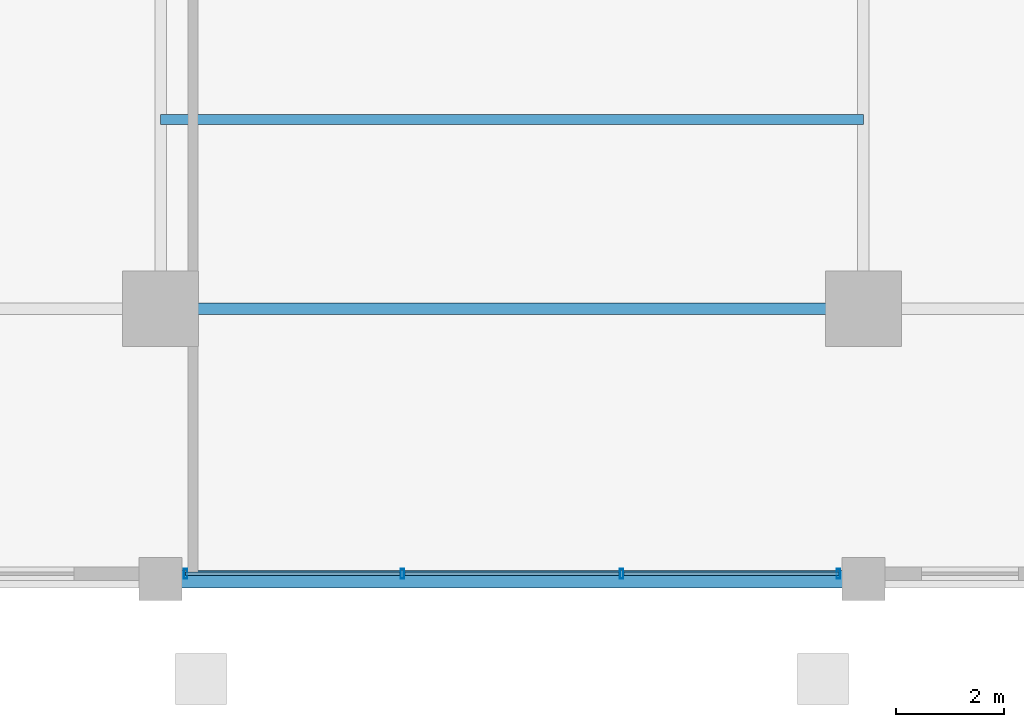
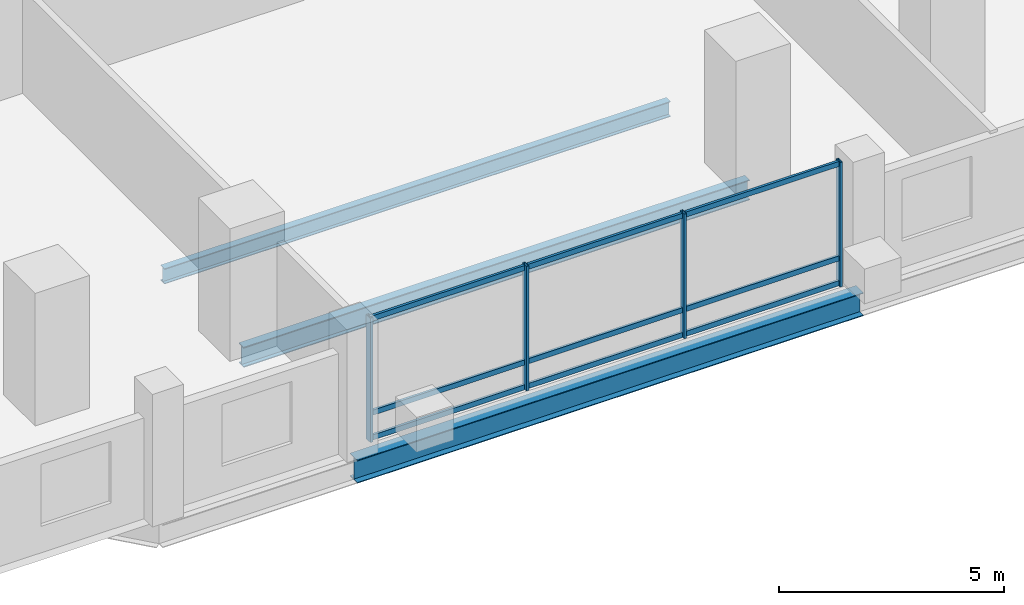
# One storey, part 2 of 23: 13 members, 3 beams, 1 element without a shape of its own.
"""IFC4 building model written with IfcOpenShell, lengths in metres."""

import ifcopenshell
import ifcopenshell.guid

model = None  # the IFC model being written
_history = None  # IfcOwnerHistory: only IFC2X3 demands one
_inside = {}  # id of a spatial element -> (the spatial element, [elements in it])
_under = {}  # id of a project, library or spatial element -> (it, [spatial elements below it])
_declared = {}  # id of a project -> (the project, [libraries it declares])
_typed = {}  # id of a type object -> (the type object, [elements of that type])
_made_of = {}  # id of a material, layer set ... -> (it, [elements and type objects made of it])


def new_model(schema):
    """Start an empty IFC model of exactly this schema.

    Asked for "IFC4X3", IfcOpenShell would pick the latest addendum, in which some entities
    have other attributes; the version numbers below select the first issue.
    IFC2X3 requires an IfcOwnerHistory on every rooted entity: one is made here for all.
    """
    global model, _history
    if schema == "IFC4X3":
        model = ifcopenshell.file(schema_version=(4, 3, 0, 0))
    else:
        model = ifcopenshell.file(schema=schema)
    _inside.clear()
    _under.clear()
    _declared.clear()
    _typed.clear()
    _made_of.clear()
    _history = None
    if model.schema == "IFC2X3":
        org = make("IfcOrganization", Name="unknown")
        user = make(
            "IfcPersonAndOrganization",
            ThePerson=make("IfcPerson", FamilyName="unknown"),
            TheOrganization=org,
        )
        app = make(
            "IfcApplication",
            ApplicationDeveloper=org,
            Version="unknown",
            ApplicationFullName="unknown",
            ApplicationIdentifier="unknown",
        )
        _history = make(
            "IfcOwnerHistory",
            OwningUser=user,
            OwningApplication=app,
            ChangeAction="ADDED",
            CreationDate=0,
        )
    return model


def make(cls, **values):
    """One entity of the class cls with the attributes given. An attribute that is None is left unset."""
    return model.create_entity(
        cls, **{name: value for name, value in values.items() if value is not None}
    )


def rooted(cls, **values):
    """An entity with a GlobalId (a new one), such as an element, a storey or a relation."""
    return make(cls, GlobalId=ifcopenshell.guid.new(), OwnerHistory=_history, **values)


def si_unit(unit_type, name, prefix=None):
    """IfcSIUnit, for example si_unit("LENGTHUNIT", "METRE", prefix="MILLI")."""
    return make("IfcSIUnit", UnitType=unit_type, Prefix=prefix, Name=name)


def assignment(units):
    """IfcUnitAssignment: the units of a project."""
    return None if units is None else make("IfcUnitAssignment", Units=units)


def point(xyz):
    """IfcCartesianPoint."""
    return None if xyz is None else make("IfcCartesianPoint", Coordinates=xyz)


def direction(xyz):
    """IfcDirection."""
    return None if xyz is None else make("IfcDirection", DirectionRatios=xyz)


def frame(location, z_axis=None, x_axis=None):
    """IfcAxis2Placement3D, a coordinate frame: its origin and axes. An axis left out is left unset."""
    return make(
        "IfcAxis2Placement3D",
        Location=point(location),
        Axis=direction(z_axis),
        RefDirection=direction(x_axis),
    )


def frame_2d(location, x_axis=None):
    """IfcAxis2Placement2D, a coordinate frame in the plane: its origin and x axis."""
    return make(
        "IfcAxis2Placement2D", Location=point(location), RefDirection=direction(x_axis)
    )


def origin():
    """The frame at (0, 0, 0) with its axes left unset."""
    return frame((0.0, 0.0, 0.0))


def origin_2d():
    """The frame at (0, 0) in the plane with its x axis left unset."""
    return frame_2d((0.0, 0.0))


def place(relative_to, where):
    """IfcLocalPlacement: puts the frame where relative to a parent placement (None: the world)."""
    return make(
        "IfcLocalPlacement", PlacementRelTo=relative_to, RelativePlacement=where
    )


def context(
    kind, dimensions, precision=None, world=None, true_north=None, identifier=None
):
    """IfcGeometricRepresentationContext, for example the 3D "Model" context."""
    return make(
        "IfcGeometricRepresentationContext",
        ContextIdentifier=identifier,
        ContextType=kind,
        CoordinateSpaceDimension=dimensions,
        Precision=precision,
        WorldCoordinateSystem=world,
        TrueNorth=true_north,
    )


def subcontext(parent, identifier, kind, view, scale=None):
    """IfcGeometricRepresentationSubContext, for example "Body" below "Model"."""
    return make(
        "IfcGeometricRepresentationSubContext",
        ContextIdentifier=identifier,
        ContextType=kind,
        ParentContext=parent,
        TargetScale=scale,
        TargetView=view,
    )


def project(units=None, contexts=None):
    """IfcProject with its units and contexts."""
    return rooted(
        "IfcProject",
        Name="project",
        RepresentationContexts=contexts,
        UnitsInContext=assignment(units),
    )


def spatial(cls, under=None, at=None, **own):
    """A site, building, storey or space (cls), placed at a placement, below another one or the project."""
    s = rooted(cls, ObjectPlacement=at, **own)
    if under is not None:
        _under.setdefault(under.id(), (under, []))[1].append(s)
    return s


def profile(cls, at=None, kind="AREA", **sizes):
    """A parametric profile (cls). Its sizes go by their IFC names, for example OverallWidth=200.0."""
    return make(cls, ProfileType=kind, Position=at, **sizes)


def hollow_rectangle(**sizes):
    """IfcRectangleHollowProfileDef."""
    return profile("IfcRectangleHollowProfileDef", **sizes)


def i_section(**sizes):
    """IfcIShapeProfileDef."""
    return profile("IfcIShapeProfileDef", **sizes)


def extrude(swept, where, along, depth):
    """IfcExtrudedAreaSolid: the profile swept, set in the frame where, extruded along a direction by depth."""
    return make(
        "IfcExtrudedAreaSolid",
        SweptArea=swept,
        Position=where,
        ExtrudedDirection=direction(along),
        Depth=depth,
    )


def shape(context_of_items, identifier, shape_type, items):
    """IfcShapeRepresentation: the items that make up one representation, for example the "Body"."""
    return make(
        "IfcShapeRepresentation",
        ContextOfItems=context_of_items,
        RepresentationIdentifier=identifier,
        RepresentationType=shape_type,
        Items=items,
    )


def material(Name=None, Category=None):
    """IfcMaterial."""
    return make("IfcMaterial", Name=Name, Category=Category)


def layer(
    of_material, thickness, ventilated=None, Name=None, Category=None, Priority=None
):
    """IfcMaterialLayer: one layer of a wall or slab, of a material (None: an air gap)."""
    return make(
        "IfcMaterialLayer",
        Material=of_material,
        LayerThickness=thickness,
        IsVentilated=ventilated,
        Name=Name,
        Category=Category,
        Priority=Priority,
    )


def layer_set(layers, Name=None):
    """IfcMaterialLayerSet."""
    return make("IfcMaterialLayerSet", MaterialLayers=layers, LayerSetName=Name)


def material_profile(
    of_material, cross_section, Name=None, Category=None, Priority=None
):
    """IfcMaterialProfile: a cross section and its material."""
    return make(
        "IfcMaterialProfile",
        Name=Name,
        Material=of_material,
        Profile=cross_section,
        Priority=Priority,
        Category=Category,
    )


def profile_set(profiles, Name=None, composite=None):
    """IfcMaterialProfileSet."""
    return make(
        "IfcMaterialProfileSet",
        Name=Name,
        MaterialProfiles=profiles,
        CompositeProfile=composite,
    )


def made_of(thing, what):
    """Note that an element or type object is made of a material, layer set ...; save() writes the relation."""
    if what is not None:
        _made_of.setdefault(what.id(), (what, []))[1].append(thing)
    return thing


def type_object(cls, material=None, **own):
    """A type object (cls), such as IfcWallType, which elements share."""
    return made_of(rooted(cls, **own), material)


def element(
    cls,
    number,
    at=None,
    inside=None,
    cuts=None,
    type_object=None,
    material=None,
    context=None,
    identifier="Body",
    shape_type=None,
    held_by="IfcProductDefinitionShape",
    body=None,
    shapes=None,
    **own,
):
    """One element of the class cls, such as IfcWall. Its Tag is "e" and its number.

    at: its placement. inside: the storey or other place that contains it. cuts: it is an
    opening in that element (IfcRelVoidsElement). A single representation is given by context,
    identifier, shape_type and body (its items); several are given by shapes. held_by: the class
    of the entity that holds the representations. save() writes the other relations.
    """
    e = rooted(cls, Tag="e%d" % number, ObjectPlacement=at, **own)
    if body is not None:
        shapes = [shape(context, identifier, shape_type, body)]
    if shapes is not None:
        e.Representation = make(held_by, Representations=shapes)
    if inside is not None:
        _inside.setdefault(inside.id(), (inside, []))[1].append(e)
    if cuts is not None:
        rooted(
            "IfcRelVoidsElement", RelatingBuildingElement=cuts, RelatedOpeningElement=e
        )
    if type_object is not None:
        _typed.setdefault(type_object.id(), (type_object, []))[1].append(e)
    return made_of(e, material)


def aggregate(whole, parts):
    """IfcRelAggregates: a whole, such as a stair, and the parts it consists of."""
    return rooted("IfcRelAggregates", RelatingObject=whole, RelatedObjects=parts)


def save(model, path):
    """Write the relations noted so far, then the file.

    IfcRelAggregates (storeys below a building ...), IfcRelContainedInSpatialStructure (elements
    in a storey), IfcRelDefinesByType, IfcRelAssociatesMaterial and IfcRelDeclares: one each for
    every whole, place, type object, material and project.
    """
    for whole, parts in _under.values():
        aggregate(whole, parts)
    for where, things in _inside.values():
        rooted(
            "IfcRelContainedInSpatialStructure",
            RelatedElements=things,
            RelatingStructure=where,
        )
    for kind, things in _typed.values():
        rooted("IfcRelDefinesByType", RelatedObjects=things, RelatingType=kind)
    for what, things in _made_of.values():
        rooted("IfcRelAssociatesMaterial", RelatedObjects=things, RelatingMaterial=what)
    for by, libraries in _declared.values():
        rooted("IfcRelDeclares", RelatingContext=by, RelatedDefinitions=libraries)
    model.write(path)


model = new_model("IFC4")

# Units and contexts
model_context = context("Model", 3, precision=1e-05, world=origin(), true_north=direction((0.0, 1.0)))
body_context = subcontext(model_context, "Body", "Model", "MODEL_VIEW")
ifc_project = project(units=[si_unit("LENGTHUNIT", "METRE"), si_unit("AREAUNIT", "SQUARE_METRE"), si_unit("VOLUMEUNIT", "CUBIC_METRE"), si_unit("PLANEANGLEUNIT", "RADIAN"), si_unit("MASSUNIT", "GRAM", prefix="KILO")], contexts=[model_context])

# Site, building, storey
site_placement = place(None, origin())
site = spatial("IfcSite", under=ifc_project, at=site_placement, CompositionType="ELEMENT")
building_placement = place(site_placement, origin())
building = spatial("IfcBuilding", under=site, at=building_placement, Name="Barlavira Tower and Art Museum", CompositionType="ELEMENT")
storey_placement = place(building_placement, frame((0.0, 0.0, 64.800048828125)))
storey = spatial("IfcBuildingStorey", under=building, at=storey_placement, Name="L15", CompositionType="ELEMENT", Elevation=64.800048828125)

# Curtain wall, members
ifc_material_1 = material(Name="Low-iron coastal laminated glass", Category="glass")
ifc_layer = layer(ifc_material_1, 0.179931640625, Name="Low-iron coastal laminated glass")
ifc_layer_set = layer_set([ifc_layer], Name="Low-iron coastal laminated glass")
curtain_wall_type = type_object("IfcCurtainWallType", Name="Pale-Metal Unitised Curtain Wall Zone 1", PredefinedType="NOTDEFINED", material=ifc_layer_set)
curtain_wall_placement = place(storey_placement, origin())
curtain_wall = element("IfcCurtainWall", 1, at=curtain_wall_placement, inside=storey, type_object=curtain_wall_type, Name="L15 Curtain Wall CW1-L15-S-B3", PredefinedType="NOTDEFINED")
ifc_material_2 = material(Name="Pale anodised aluminium", Category="aluminium")
ifc_material_profile_1 = material_profile(ifc_material_2, hollow_rectangle(XDim=0.06494140625, YDim=0.179931640625, WallThickness=0.00390625, at=origin_2d()), Name="ALU-MULL 65x180x4")
ifc_profile_set_1 = profile_set([ifc_material_profile_1], Name="Pale anodised aluminium")
member_type_1 = type_object("IfcMemberType", Name="Curtain Wall Pale-Metal Mullion 65x180", PredefinedType="MULLION", material=ifc_profile_set_1)
member_1_placement = place(storey_placement, frame((-6.034912109375, -24.89990234375, 0.0), z_axis=(0.0, 0.0, 1.0), x_axis=(1.0, 0.0, 0.0)))
member_1 = element("IfcMember", 2, at=member_1_placement, type_object=member_type_1, Name="CW1-L15-S-B3 Mullion 0", PredefinedType="MULLION", context=body_context, shape_type="SweptSolid", body=[
    extrude(hollow_rectangle(XDim=0.06494140625, YDim=0.179931640625, WallThickness=0.00390625, at=origin_2d()), origin(), (0.0, 0.0, 1.0), 3.3798828125),
])
member_2_placement = place(storey_placement, frame((-2.026611328125, -24.89990234375, 0.0), z_axis=(0.0, 0.0, 1.0), x_axis=(1.0, 0.0, 0.0)))
member_2 = element("IfcMember", 3, at=member_2_placement, type_object=member_type_1, Name="CW1-L15-S-B3 Mullion 1", PredefinedType="MULLION", context=body_context, shape_type="SweptSolid", body=[
    extrude(hollow_rectangle(XDim=0.06494140625, YDim=0.179931640625, WallThickness=0.00390625, at=origin_2d()), origin(), (0.0, 0.0, 1.0), 3.3798828125),
])
member_3_placement = place(storey_placement, frame((2.026611328125, -24.89990234375, 0.0), z_axis=(0.0, 0.0, 1.0), x_axis=(1.0, 0.0, 0.0)))
member_3 = element("IfcMember", 4, at=member_3_placement, type_object=member_type_1, Name="CW1-L15-S-B3 Mullion 2", PredefinedType="MULLION", context=body_context, shape_type="SweptSolid", body=[
    extrude(hollow_rectangle(XDim=0.06494140625, YDim=0.179931640625, WallThickness=0.00390625, at=origin_2d()), origin(), (0.0, 0.0, 1.0), 3.3798828125),
])
member_4_placement = place(storey_placement, frame((6.034912109375, -24.89990234375, 0.0), z_axis=(0.0, 0.0, 1.0), x_axis=(1.0, 0.0, 0.0)))
member_4 = element("IfcMember", 5, at=member_4_placement, type_object=member_type_1, Name="CW1-L15-S-B3 Mullion 3", PredefinedType="MULLION", context=body_context, shape_type="SweptSolid", body=[
    extrude(hollow_rectangle(XDim=0.06494140625, YDim=0.179931640625, WallThickness=0.00390625, at=origin_2d()), origin(), (0.0, 0.0, 1.0), 3.3798828125),
])
ifc_material_profile_2 = material_profile(ifc_material_2, hollow_rectangle(XDim=0.06494140625, YDim=0.139892578125, WallThickness=0.00390625, at=origin_2d()), Name="ALU-TRAN 65x140x4")
ifc_profile_set_2 = profile_set([ifc_material_profile_2], Name="Pale anodised aluminium")
member_type_2 = type_object("IfcMemberType", Name="Curtain Wall Pale-Metal Transom 65x140", PredefinedType="USERDEFINED", material=ifc_profile_set_2)
member_5_placement = place(storey_placement, frame((-6.034912109375, -24.89990234375, 0.070068359375), z_axis=(1.0, 0.0, 0.0), x_axis=(0.0, 1.0, 0.0)))
member_5 = element("IfcMember", 6, at=member_5_placement, type_object=member_type_2, Name="CW1-L15-S-B3 Transom 0.1", ObjectType="TRANSOM", PredefinedType="USERDEFINED", context=body_context, shape_type="SweptSolid", body=[
    extrude(hollow_rectangle(XDim=0.06494140625, YDim=0.139892578125, WallThickness=0.00390625, at=origin_2d()), origin(), (0.0, 0.0, 1.0), 3.963134765625),
])
member_6_placement = place(storey_placement, frame((-6.034912109375, -24.89990234375, 0.743896484375), z_axis=(1.0, 0.0, 0.0), x_axis=(0.0, 1.0, 0.0)))
member_6 = element("IfcMember", 7, at=member_6_placement, type_object=member_type_2, Name="CW1-L15-S-B3 Transom 0.2", ObjectType="TRANSOM", PredefinedType="USERDEFINED", context=body_context, shape_type="SweptSolid", body=[
    extrude(hollow_rectangle(XDim=0.06494140625, YDim=0.139892578125, WallThickness=0.00390625, at=origin_2d()), origin(), (0.0, 0.0, 1.0), 3.963134765625),
])
member_7_placement = place(storey_placement, frame((-6.034912109375, -24.89990234375, 3.31005859375), z_axis=(1.0, 0.0, 0.0), x_axis=(0.0, 1.0, 0.0)))
member_7 = element("IfcMember", 8, at=member_7_placement, type_object=member_type_2, Name="CW1-L15-S-B3 Transom 0.3", ObjectType="TRANSOM", PredefinedType="USERDEFINED", context=body_context, shape_type="SweptSolid", body=[
    extrude(hollow_rectangle(XDim=0.06494140625, YDim=0.139892578125, WallThickness=0.00390625, at=origin_2d()), origin(), (0.0, 0.0, 1.0), 3.963134765625),
])
member_8_placement = place(storey_placement, frame((-1.981689453125, -24.89990234375, 0.070068359375), z_axis=(1.0, 0.0, 0.0), x_axis=(0.0, 1.0, 0.0)))
member_8 = element("IfcMember", 9, at=member_8_placement, type_object=member_type_2, Name="CW1-L15-S-B3 Transom 1.1", ObjectType="TRANSOM", PredefinedType="USERDEFINED", context=body_context, shape_type="SweptSolid", body=[
    extrude(hollow_rectangle(XDim=0.06494140625, YDim=0.139892578125, WallThickness=0.00390625, at=origin_2d()), origin(), (0.0, 0.0, 1.0), 3.96337890625),
])
member_9_placement = place(storey_placement, frame((-1.981689453125, -24.89990234375, 0.743896484375), z_axis=(1.0, 0.0, 0.0), x_axis=(0.0, 1.0, 0.0)))
member_9 = element("IfcMember", 10, at=member_9_placement, type_object=member_type_2, Name="CW1-L15-S-B3 Transom 1.2", ObjectType="TRANSOM", PredefinedType="USERDEFINED", context=body_context, shape_type="SweptSolid", body=[
    extrude(hollow_rectangle(XDim=0.06494140625, YDim=0.139892578125, WallThickness=0.00390625, at=origin_2d()), origin(), (0.0, 0.0, 1.0), 3.96337890625),
])
member_10_placement = place(storey_placement, frame((-1.981689453125, -24.89990234375, 3.31005859375), z_axis=(1.0, 0.0, 0.0), x_axis=(0.0, 1.0, 0.0)))
member_10 = element("IfcMember", 11, at=member_10_placement, type_object=member_type_2, Name="CW1-L15-S-B3 Transom 1.3", ObjectType="TRANSOM", PredefinedType="USERDEFINED", context=body_context, shape_type="SweptSolid", body=[
    extrude(hollow_rectangle(XDim=0.06494140625, YDim=0.139892578125, WallThickness=0.00390625, at=origin_2d()), origin(), (0.0, 0.0, 1.0), 3.96337890625),
])
member_11_placement = place(storey_placement, frame((2.07177734375, -24.89990234375, 0.070068359375), z_axis=(1.0, 0.0, 0.0), x_axis=(0.0, 1.0, 0.0)))
member_11 = element("IfcMember", 12, at=member_11_placement, type_object=member_type_2, Name="CW1-L15-S-B3 Transom 2.1", ObjectType="TRANSOM", PredefinedType="USERDEFINED", context=body_context, shape_type="SweptSolid", body=[
    extrude(hollow_rectangle(XDim=0.06494140625, YDim=0.139892578125, WallThickness=0.00390625, at=origin_2d()), origin(), (0.0, 0.0, 1.0), 3.963134765625),
])
member_12_placement = place(storey_placement, frame((2.07177734375, -24.89990234375, 0.743896484375), z_axis=(1.0, 0.0, 0.0), x_axis=(0.0, 1.0, 0.0)))
member_12 = element("IfcMember", 13, at=member_12_placement, type_object=member_type_2, Name="CW1-L15-S-B3 Transom 2.2", ObjectType="TRANSOM", PredefinedType="USERDEFINED", context=body_context, shape_type="SweptSolid", body=[
    extrude(hollow_rectangle(XDim=0.06494140625, YDim=0.139892578125, WallThickness=0.00390625, at=origin_2d()), origin(), (0.0, 0.0, 1.0), 3.963134765625),
])
member_13_placement = place(storey_placement, frame((2.07177734375, -24.89990234375, 3.31005859375), z_axis=(1.0, 0.0, 0.0), x_axis=(0.0, 1.0, 0.0)))
member_13 = element("IfcMember", 14, at=member_13_placement, type_object=member_type_2, Name="CW1-L15-S-B3 Transom 2.3", ObjectType="TRANSOM", PredefinedType="USERDEFINED", context=body_context, shape_type="SweptSolid", body=[
    extrude(hollow_rectangle(XDim=0.06494140625, YDim=0.139892578125, WallThickness=0.00390625, at=origin_2d()), origin(), (0.0, 0.0, 1.0), 3.963134765625),
])
aggregate(curtain_wall, [member_1, member_2, member_3, member_4, member_5, member_6, member_7, member_8, member_9, member_10, member_11, member_12, member_13])

# Beams
ifc_material_3 = material(Name="Steel S355", Category="steel")
ifc_material_profile_3 = material_profile(ifc_material_3, i_section(OverallWidth=0.327880859375, OverallDepth=0.62890625, WebThickness=0.013916015625, FlangeThickness=0.021484375, at=origin_2d()), Name="W610x174.0")
ifc_profile_set_3 = profile_set([ifc_material_profile_3], Name="Steel S355")
beam_type_1 = type_object("IfcBeamType", Name="Perimeter Spandrel Edge Beam W610x174 Steel S355", PredefinedType="SPANDREL", material=ifc_profile_set_3)
beam_1_placement = place(storey_placement, frame((-6.5, -25.0, -0.53466796875), z_axis=(1.0, 0.0, 0.0), x_axis=(0.0, 1.0, 0.0)))
element("IfcBeam", 15, at=beam_1_placement, inside=storey, type_object=beam_type_1, Name="L15 Spandrel 2", PredefinedType="SPANDREL", context=body_context, shape_type="SweptSolid", body=[
    extrude(i_section(OverallWidth=0.327880859375, OverallDepth=0.62890625, WebThickness=0.013916015625, FlangeThickness=0.021484375, at=origin_2d()), origin(), (0.0, 0.0, 1.0), 13.0),
])
ifc_material_profile_4 = material_profile(ifc_material_3, i_section(OverallWidth=0.180908203125, OverallDepth=0.4169921875, WebThickness=0.010986328125, FlangeThickness=0.018310546875, at=origin_2d()), Name="W410x85.0")
ifc_profile_set_4 = profile_set([ifc_material_profile_4], Name="Steel S355")
beam_type_2 = type_object("IfcBeamType", Name="Zone 1 Composite Floor Joist W410x85 Steel S355", PredefinedType="JOIST", material=ifc_profile_set_4)
beam_2_placement = place(storey_placement, frame((-6.5, -16.5, -0.428466796875), z_axis=(1.0, 0.0, 0.0), x_axis=(0.0, 1.0, 0.0)))
element("IfcBeam", 16, at=beam_2_placement, inside=storey, type_object=beam_type_2, Name="L15 Joist C1", PredefinedType="JOIST", context=body_context, shape_type="SweptSolid", body=[
    extrude(i_section(OverallWidth=0.180908203125, OverallDepth=0.4169921875, WebThickness=0.010986328125, FlangeThickness=0.018310546875, at=origin_2d()), origin(), (0.0, 0.0, 1.0), 13.0),
])
ifc_material_profile_5 = material_profile(ifc_material_3, i_section(OverallWidth=0.214111328125, OverallDepth=0.549072265625, WebThickness=0.0146484375, FlangeThickness=0.023681640625, at=origin_2d()), Name="W530x138.0")
ifc_profile_set_5 = profile_set([ifc_material_profile_5], Name="Steel S355")
beam_type_3 = type_object("IfcBeamType", Name="Zone 1 Primary Floor Girder W530x138 Steel S355", PredefinedType="BEAM", material=ifc_profile_set_5)
beam_3_placement = place(storey_placement, frame((-6.5, -20.0, -0.49462890625), z_axis=(1.0, 0.0, 0.0), x_axis=(0.0, 1.0, 0.0)))
element("IfcBeam", 17, at=beam_3_placement, inside=storey, type_object=beam_type_3, Name="L15 Girder M-S2", PredefinedType="BEAM", context=body_context, shape_type="SweptSolid", body=[
    extrude(i_section(OverallWidth=0.214111328125, OverallDepth=0.549072265625, WebThickness=0.0146484375, FlangeThickness=0.023681640625, at=origin_2d()), origin(), (0.0, 0.0, 1.0), 13.0),
])

save(model, "model.ifc")
